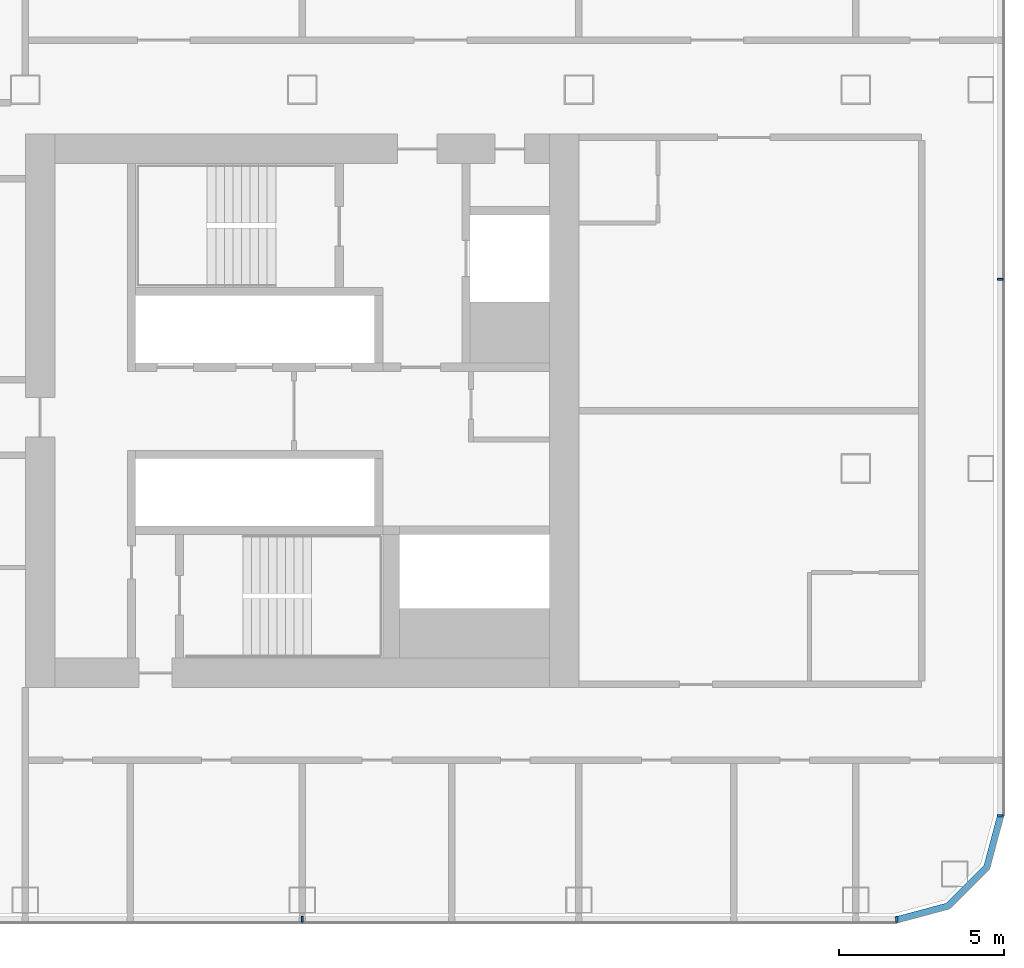
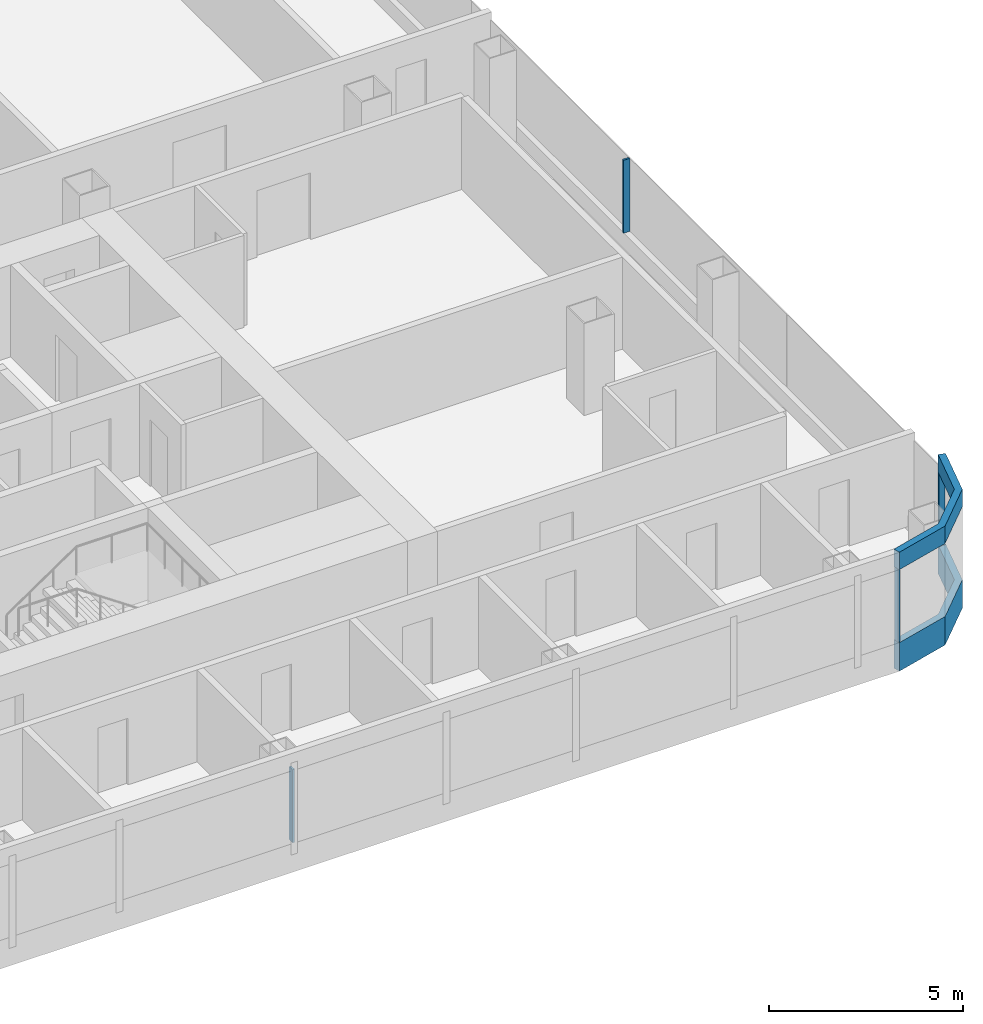
# One storey, part 11 of 29: 6 members, 3 elements without a shape of their own.
"""IFC4 building model written with IfcOpenShell, lengths in metres."""

from ifc_helpers import new_model, si_unit, direction, frame, origin, origin_2d, place, context, subcontext, project, spatial, polyline, rectangle, outline, extrude, material, layer, layer_set, material_profile, profile_set, type_object, element, aggregate, save


model = new_model("IFC4")

# Units and contexts
model_context = context("Model", 3, precision=1e-05, world=origin(), true_north=direction((0.0, 1.0)))
body_context = subcontext(model_context, "Body", "Model", "MODEL_VIEW")
ifc_project = project(units=[si_unit("LENGTHUNIT", "METRE"), si_unit("AREAUNIT", "SQUARE_METRE"), si_unit("VOLUMEUNIT", "CUBIC_METRE"), si_unit("PLANEANGLEUNIT", "RADIAN"), si_unit("MASSUNIT", "GRAM", prefix="KILO")], contexts=[model_context])

# Site, building, storey
site_placement = place(None, origin())
site = spatial("IfcSite", under=ifc_project, at=site_placement, CompositionType="ELEMENT")
building_placement = place(site_placement, origin())
building = spatial("IfcBuilding", under=site, at=building_placement, Name="Hakoniwa Tower and Hamabe Station Hall", CompositionType="ELEMENT")
storey_placement = place(building_placement, frame((0.0, 0.0, 117.0)))
storey = spatial("IfcBuildingStorey", under=building, at=storey_placement, Name="L33", CompositionType="ELEMENT", Elevation=117.0)

# Curtain wall, members
ifc_material_1 = material(Name="Dark low-e laminated glass", Category="glass")
ifc_layer = layer(ifc_material_1, 0.199951171875)
ifc_layer_set = layer_set([ifc_layer], Name="CW-1 UNITISED GUEST")
curtain_wall_type = type_object("IfcCurtainWallType", Name="CW-1 UNITISED GUEST", PredefinedType="NOTDEFINED", material=ifc_layer_set)
curtain_wall_1_placement = place(storey_placement, origin())
curtain_wall_1 = element("IfcCurtainWall", 1, at=curtain_wall_1_placement, inside=storey, type_object=curtain_wall_type, Name="CW-1 curtain wall", PredefinedType="NOTDEFINED")
ifc_material_2 = material(Name="Aluminium 6063-T5 black anodised", Category="aluminium")
ifc_material_profile_1 = material_profile(ifc_material_2, rectangle(XDim=0.199951171875, YDim=0.550048828125, at=origin_2d()), Name="CW HEAD BAND 550X200")
ifc_profile_set_1 = profile_set([ifc_material_profile_1], Name="Aluminium 6063-T5 black anodised")
member_type_1 = type_object("IfcMemberType", Name="CW HEAD BAND 550X200", PredefinedType="USERDEFINED", material=ifc_profile_set_1)
member_1_placement = place(storey_placement, frame((0.0, 0.0, 2.64990234375)))
member_1 = element("IfcMember", 2, at=member_1_placement, type_object=member_type_1, Name="CW-1 transom", ObjectType="TRANSOM", PredefinedType="USERDEFINED", context=body_context, shape_type="SweptSolid", body=[
    extrude(outline(polyline([(43.239501953125, -15.550048828125), (44.855224609375, -15.116943359375), (46.067138671875, -13.9052734375), (46.5, -12.28955078125), (46.306884765625, -12.23779296875), (45.8876953125, -13.8017578125), (44.751708984375, -14.937744140625), (43.187744140625, -15.35693359375), (43.239501953125, -15.550048828125)])), origin(), (0.0, 0.0, 1.0), 0.550048828125),
])
ifc_material_3 = material(Name="Aluminium 6063-T5 black anodised", Category="aluminium")
ifc_material_profile_2 = material_profile(ifc_material_3, rectangle(XDim=0.199951171875, YDim=0.89990234375, at=origin_2d()), Name="CW SLAB-EDGE BAND 900X200")
ifc_profile_set_2 = profile_set([ifc_material_profile_2], Name="Aluminium 6063-T5 black anodised")
member_type_2 = type_object("IfcMemberType", Name="CW SLAB-EDGE BAND 900X200", PredefinedType="USERDEFINED", material=ifc_profile_set_2)
member_2_placement = place(storey_placement, frame((0.0, 0.0, -0.550048828125)))
member_2 = element("IfcMember", 3, at=member_2_placement, type_object=member_type_2, Name="CW-1 transom", ObjectType="TRANSOM", PredefinedType="USERDEFINED", context=body_context, shape_type="SweptSolid", body=[
    extrude(outline(polyline([(43.239501953125, -15.550048828125), (44.855224609375, -15.116943359375), (46.067138671875, -13.9052734375), (46.5, -12.28955078125), (46.306884765625, -12.23779296875), (45.8876953125, -13.8017578125), (44.751708984375, -14.937744140625), (43.187744140625, -15.35693359375), (43.239501953125, -15.550048828125)])), origin(), (0.0, 0.0, 1.0), 0.900146484375),
])
aggregate(curtain_wall_1, [member_2, member_1])

curtain_wall_2_placement = place(storey_placement, origin())
curtain_wall_2 = element("IfcCurtainWall", 4, at=curtain_wall_2_placement, inside=storey, type_object=curtain_wall_type, Name="CW-1 curtain wall", PredefinedType="NOTDEFINED")
ifc_material_4 = material(Name="Aluminium 6063-T5 black anodised", Category="aluminium")
ifc_material_profile_3 = material_profile(ifc_material_4, rectangle(XDim=0.06005859375, YDim=0.179931640625, at=origin_2d()), Name="CW-1 MULLION 60X180")
ifc_profile_set_3 = profile_set([ifc_material_profile_3], Name="Aluminium 6063-T5 black anodised")
member_type_3 = type_object("IfcMemberType", Name="CW-1 MULLION 60X180", PredefinedType="MULLION", material=ifc_profile_set_3)
member_3_placement = place(storey_placement, frame((46.382080078125, -12.28955078125, 0.35009765625), z_axis=(0.0, 0.0, 1.0), x_axis=(0.0, 1.0, 0.0)))
member_3 = element("IfcMember", 5, at=member_3_placement, type_object=member_type_3, Name="CW-1 mullion", PredefinedType="MULLION", context=body_context, shape_type="SweptSolid", body=[
    extrude(rectangle(XDim=0.06005859375, YDim=0.179931640625, at=origin_2d()), origin(), (0.0, 0.0, 1.0), 2.2998046875),
])
member_4_placement = place(storey_placement, frame((46.382080078125, 4.0, 0.35009765625), z_axis=(0.0, 0.0, 1.0), x_axis=(0.0, 1.0, 0.0)))
member_4 = element("IfcMember", 6, at=member_4_placement, type_object=member_type_3, Name="CW-1 mullion", PredefinedType="MULLION", context=body_context, shape_type="SweptSolid", body=[
    extrude(rectangle(XDim=0.06005859375, YDim=0.179931640625, at=origin_2d()), origin(), (0.0, 0.0, 1.0), 2.2998046875),
])
aggregate(curtain_wall_2, [member_3, member_4])

curtain_wall_3_placement = place(storey_placement, origin())
curtain_wall_3 = element("IfcCurtainWall", 7, at=curtain_wall_3_placement, inside=storey, type_object=curtain_wall_type, Name="CW-1 curtain wall", PredefinedType="NOTDEFINED")
member_5_placement = place(storey_placement, frame((25.199951171875, -15.431884765625, 0.35009765625), z_axis=(0.0, 0.0, 1.0), x_axis=(1.0, 0.0, 0.0)))
member_5 = element("IfcMember", 8, at=member_5_placement, type_object=member_type_3, Name="CW-1 mullion", PredefinedType="MULLION", context=body_context, shape_type="SweptSolid", body=[
    extrude(rectangle(XDim=0.06005859375, YDim=0.179931640625, at=origin_2d()), origin(), (0.0, 0.0, 1.0), 2.2998046875),
])
member_6_placement = place(storey_placement, frame((43.239501953125, -15.431884765625, 0.35009765625), z_axis=(0.0, 0.0, 1.0), x_axis=(1.0, 0.0, 0.0)))
member_6 = element("IfcMember", 9, at=member_6_placement, type_object=member_type_3, Name="CW-1 mullion", PredefinedType="MULLION", context=body_context, shape_type="SweptSolid", body=[
    extrude(rectangle(XDim=0.06005859375, YDim=0.179931640625, at=origin_2d()), origin(), (0.0, 0.0, 1.0), 2.2998046875),
])
aggregate(curtain_wall_3, [member_5, member_6])

save(model, "model.ifc")
